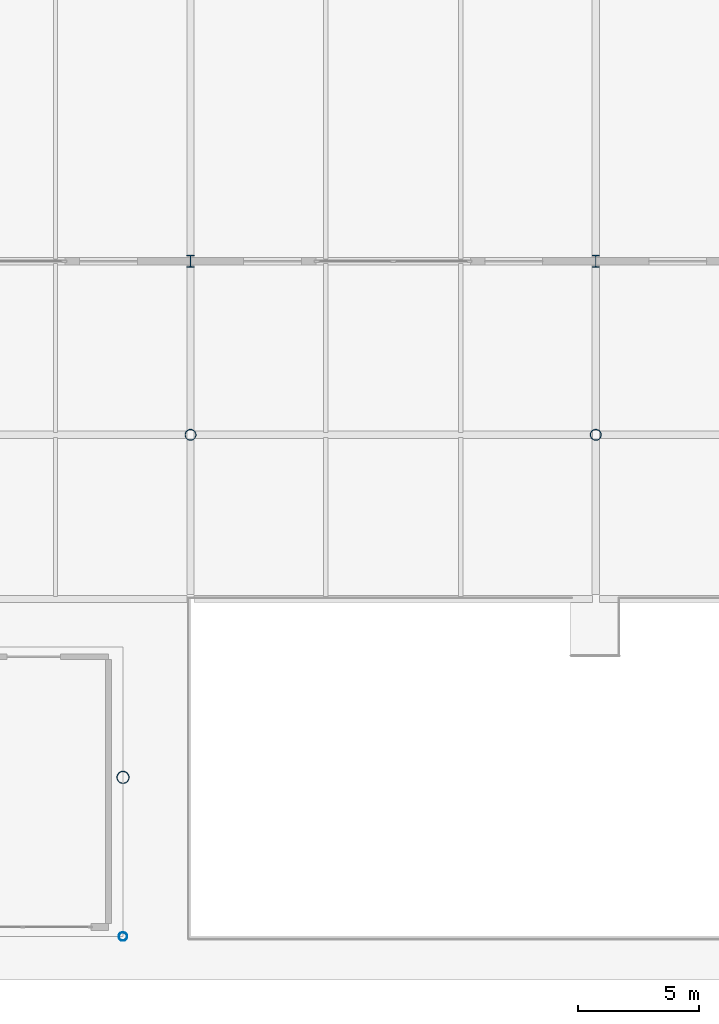
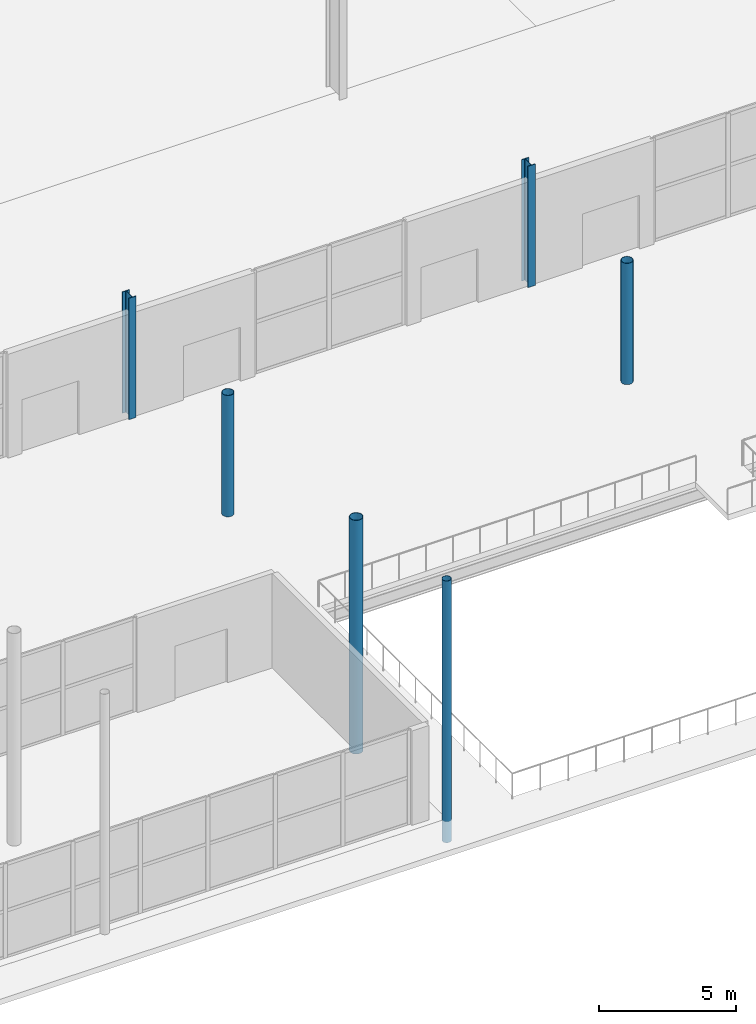
# One storey, part 5 of 87: 6 columns.
"""IFC4 building model written with IfcOpenShell, lengths in metres."""

import ifcopenshell
import ifcopenshell.guid

model = None  # the IFC model being written
_history = None  # IfcOwnerHistory: only IFC2X3 demands one
_inside = {}  # id of a spatial element -> (the spatial element, [elements in it])
_under = {}  # id of a project, library or spatial element -> (it, [spatial elements below it])
_declared = {}  # id of a project -> (the project, [libraries it declares])
_typed = {}  # id of a type object -> (the type object, [elements of that type])
_made_of = {}  # id of a material, layer set ... -> (it, [elements and type objects made of it])


def new_model(schema):
    """Start an empty IFC model of exactly this schema.

    Asked for "IFC4X3", IfcOpenShell would pick the latest addendum, in which some entities
    have other attributes; the version numbers below select the first issue.
    IFC2X3 requires an IfcOwnerHistory on every rooted entity: one is made here for all.
    """
    global model, _history
    if schema == "IFC4X3":
        model = ifcopenshell.file(schema_version=(4, 3, 0, 0))
    else:
        model = ifcopenshell.file(schema=schema)
    _inside.clear()
    _under.clear()
    _declared.clear()
    _typed.clear()
    _made_of.clear()
    _history = None
    if model.schema == "IFC2X3":
        org = make("IfcOrganization", Name="unknown")
        user = make(
            "IfcPersonAndOrganization",
            ThePerson=make("IfcPerson", FamilyName="unknown"),
            TheOrganization=org,
        )
        app = make(
            "IfcApplication",
            ApplicationDeveloper=org,
            Version="unknown",
            ApplicationFullName="unknown",
            ApplicationIdentifier="unknown",
        )
        _history = make(
            "IfcOwnerHistory",
            OwningUser=user,
            OwningApplication=app,
            ChangeAction="ADDED",
            CreationDate=0,
        )
    return model


def make(cls, **values):
    """One entity of the class cls with the attributes given. An attribute that is None is left unset."""
    return model.create_entity(
        cls, **{name: value for name, value in values.items() if value is not None}
    )


def rooted(cls, **values):
    """An entity with a GlobalId (a new one), such as an element, a storey or a relation."""
    return make(cls, GlobalId=ifcopenshell.guid.new(), OwnerHistory=_history, **values)


def si_unit(unit_type, name, prefix=None):
    """IfcSIUnit, for example si_unit("LENGTHUNIT", "METRE", prefix="MILLI")."""
    return make("IfcSIUnit", UnitType=unit_type, Prefix=prefix, Name=name)


def assignment(units):
    """IfcUnitAssignment: the units of a project."""
    return None if units is None else make("IfcUnitAssignment", Units=units)


def point(xyz):
    """IfcCartesianPoint."""
    return None if xyz is None else make("IfcCartesianPoint", Coordinates=xyz)


def direction(xyz):
    """IfcDirection."""
    return None if xyz is None else make("IfcDirection", DirectionRatios=xyz)


def frame(location, z_axis=None, x_axis=None):
    """IfcAxis2Placement3D, a coordinate frame: its origin and axes. An axis left out is left unset."""
    return make(
        "IfcAxis2Placement3D",
        Location=point(location),
        Axis=direction(z_axis),
        RefDirection=direction(x_axis),
    )


def frame_2d(location, x_axis=None):
    """IfcAxis2Placement2D, a coordinate frame in the plane: its origin and x axis."""
    return make(
        "IfcAxis2Placement2D", Location=point(location), RefDirection=direction(x_axis)
    )


def origin():
    """The frame at (0, 0, 0) with its axes left unset."""
    return frame((0.0, 0.0, 0.0))


def origin_2d():
    """The frame at (0, 0) in the plane with its x axis left unset."""
    return frame_2d((0.0, 0.0))


def place(relative_to, where):
    """IfcLocalPlacement: puts the frame where relative to a parent placement (None: the world)."""
    return make(
        "IfcLocalPlacement", PlacementRelTo=relative_to, RelativePlacement=where
    )


def context(
    kind, dimensions, precision=None, world=None, true_north=None, identifier=None
):
    """IfcGeometricRepresentationContext, for example the 3D "Model" context."""
    return make(
        "IfcGeometricRepresentationContext",
        ContextIdentifier=identifier,
        ContextType=kind,
        CoordinateSpaceDimension=dimensions,
        Precision=precision,
        WorldCoordinateSystem=world,
        TrueNorth=true_north,
    )


def subcontext(parent, identifier, kind, view, scale=None):
    """IfcGeometricRepresentationSubContext, for example "Body" below "Model"."""
    return make(
        "IfcGeometricRepresentationSubContext",
        ContextIdentifier=identifier,
        ContextType=kind,
        ParentContext=parent,
        TargetScale=scale,
        TargetView=view,
    )


def project(units=None, contexts=None):
    """IfcProject with its units and contexts."""
    return rooted(
        "IfcProject",
        Name="project",
        RepresentationContexts=contexts,
        UnitsInContext=assignment(units),
    )


def spatial(cls, under=None, at=None, **own):
    """A site, building, storey or space (cls), placed at a placement, below another one or the project."""
    s = rooted(cls, ObjectPlacement=at, **own)
    if under is not None:
        _under.setdefault(under.id(), (under, []))[1].append(s)
    return s


def profile(cls, at=None, kind="AREA", **sizes):
    """A parametric profile (cls). Its sizes go by their IFC names, for example OverallWidth=200.0."""
    return make(cls, ProfileType=kind, Position=at, **sizes)


def hollow_circle(**sizes):
    """IfcCircleHollowProfileDef."""
    return profile("IfcCircleHollowProfileDef", **sizes)


def i_section(**sizes):
    """IfcIShapeProfileDef."""
    return profile("IfcIShapeProfileDef", **sizes)


def extrude(swept, where, along, depth):
    """IfcExtrudedAreaSolid: the profile swept, set in the frame where, extruded along a direction by depth."""
    return make(
        "IfcExtrudedAreaSolid",
        SweptArea=swept,
        Position=where,
        ExtrudedDirection=direction(along),
        Depth=depth,
    )


def shape(context_of_items, identifier, shape_type, items):
    """IfcShapeRepresentation: the items that make up one representation, for example the "Body"."""
    return make(
        "IfcShapeRepresentation",
        ContextOfItems=context_of_items,
        RepresentationIdentifier=identifier,
        RepresentationType=shape_type,
        Items=items,
    )


def material(Name=None, Category=None):
    """IfcMaterial."""
    return make("IfcMaterial", Name=Name, Category=Category)


def material_profile(
    of_material, cross_section, Name=None, Category=None, Priority=None
):
    """IfcMaterialProfile: a cross section and its material."""
    return make(
        "IfcMaterialProfile",
        Name=Name,
        Material=of_material,
        Profile=cross_section,
        Priority=Priority,
        Category=Category,
    )


def profile_set(profiles, Name=None, composite=None):
    """IfcMaterialProfileSet."""
    return make(
        "IfcMaterialProfileSet",
        Name=Name,
        MaterialProfiles=profiles,
        CompositeProfile=composite,
    )


def made_of(thing, what):
    """Note that an element or type object is made of a material, layer set ...; save() writes the relation."""
    if what is not None:
        _made_of.setdefault(what.id(), (what, []))[1].append(thing)
    return thing


def type_object(cls, material=None, **own):
    """A type object (cls), such as IfcWallType, which elements share."""
    return made_of(rooted(cls, **own), material)


def element(
    cls,
    number,
    at=None,
    inside=None,
    cuts=None,
    type_object=None,
    material=None,
    context=None,
    identifier="Body",
    shape_type=None,
    held_by="IfcProductDefinitionShape",
    body=None,
    shapes=None,
    **own,
):
    """One element of the class cls, such as IfcWall. Its Tag is "e" and its number.

    at: its placement. inside: the storey or other place that contains it. cuts: it is an
    opening in that element (IfcRelVoidsElement). A single representation is given by context,
    identifier, shape_type and body (its items); several are given by shapes. held_by: the class
    of the entity that holds the representations. save() writes the other relations.
    """
    e = rooted(cls, Tag="e%d" % number, ObjectPlacement=at, **own)
    if body is not None:
        shapes = [shape(context, identifier, shape_type, body)]
    if shapes is not None:
        e.Representation = make(held_by, Representations=shapes)
    if inside is not None:
        _inside.setdefault(inside.id(), (inside, []))[1].append(e)
    if cuts is not None:
        rooted(
            "IfcRelVoidsElement", RelatingBuildingElement=cuts, RelatedOpeningElement=e
        )
    if type_object is not None:
        _typed.setdefault(type_object.id(), (type_object, []))[1].append(e)
    return made_of(e, material)


def aggregate(whole, parts):
    """IfcRelAggregates: a whole, such as a stair, and the parts it consists of."""
    return rooted("IfcRelAggregates", RelatingObject=whole, RelatedObjects=parts)


def save(model, path):
    """Write the relations noted so far, then the file.

    IfcRelAggregates (storeys below a building ...), IfcRelContainedInSpatialStructure (elements
    in a storey), IfcRelDefinesByType, IfcRelAssociatesMaterial and IfcRelDeclares: one each for
    every whole, place, type object, material and project.
    """
    for whole, parts in _under.values():
        aggregate(whole, parts)
    for where, things in _inside.values():
        rooted(
            "IfcRelContainedInSpatialStructure",
            RelatedElements=things,
            RelatingStructure=where,
        )
    for kind, things in _typed.values():
        rooted("IfcRelDefinesByType", RelatedObjects=things, RelatingType=kind)
    for what, things in _made_of.values():
        rooted("IfcRelAssociatesMaterial", RelatedObjects=things, RelatingMaterial=what)
    for by, libraries in _declared.values():
        rooted("IfcRelDeclares", RelatingContext=by, RelatedDefinitions=libraries)
    model.write(path)


model = new_model("IFC4")

# Units and contexts
model_context = context("Model", 3, precision=1e-05, world=origin(), true_north=direction((0.0, 1.0)))
body_context = subcontext(model_context, "Body", "Model", "MODEL_VIEW")
ifc_project = project(units=[si_unit("LENGTHUNIT", "METRE"), si_unit("AREAUNIT", "SQUARE_METRE"), si_unit("VOLUMEUNIT", "CUBIC_METRE"), si_unit("PLANEANGLEUNIT", "RADIAN"), si_unit("MASSUNIT", "GRAM", prefix="KILO")], contexts=[model_context])

# Site, building, storey
site_placement = place(None, origin())
site = spatial("IfcSite", under=ifc_project, at=site_placement, CompositionType="ELEMENT")
building_placement = place(site_placement, origin())
building = spatial("IfcBuilding", under=site, at=building_placement, Name="Kimbaza Rail Terminus", CompositionType="ELEMENT")
storey_placement = place(building_placement, origin())
storey = spatial("IfcBuildingStorey", under=building, at=storey_placement, Name="L00", CompositionType="ELEMENT", Elevation=0.0)

# Columns
ifc_material_1 = material(Name="White painted steel S355", Category="steel")
ifc_material_profile_1 = material_profile(ifc_material_1, hollow_circle(Radius=0.177734375, WallThickness=0.012451171875, at=origin_2d()), Name="CHS 355.6x12.5")
ifc_profile_set_1 = profile_set([ifc_material_profile_1], Name="White painted steel S355")
column_type_1 = type_object("IfcColumnType", Name="STR-COL-CHS355", PredefinedType="PILASTER", material=ifc_profile_set_1)
column_1_placement = place(storey_placement, frame((86.0, 13.0, -0.949951171875), z_axis=(0.0, 0.0, 1.0), x_axis=(1.0, 0.0, 0.0)))
element("IfcColumn", 1, at=column_1_placement, inside=storey, type_object=column_type_1, Name="Forecourt Canopy Column (5,0)", PredefinedType="PILASTER", context=body_context, shape_type="SweptSolid", body=[
    extrude(hollow_circle(Radius=0.177734375, WallThickness=0.012451171875, at=origin_2d()), origin(), (0.0, 0.0, 1.0), 11.64990234375),
])
ifc_material_2 = material(Name="White painted steel S355", Category="steel")
ifc_material_profile_2 = material_profile(ifc_material_2, hollow_circle(Radius=0.228515625, WallThickness=0.01611328125, at=origin_2d()), Name="CHS 457x16")
ifc_profile_set_2 = profile_set([ifc_material_profile_2], Name="White painted steel S355")
column_type_2 = type_object("IfcColumnType", Name="STR-COL-CHS457", PredefinedType="COLUMN", material=ifc_profile_set_2)
for number, where, z_axis, x_axis, name in (
    (2, (88.800048828125, 33.800048828125, 0.0), (0.0, 0.0, 1.0), (1.0, 0.0, 0.0), "Colonnade Column L00 #3"),
    (3, (105.60009765625, 33.800048828125, 0.0), (0.0, 0.0, 1.0), (1.0, 0.0, 0.0), "Colonnade Column L00 #4"),
):
    element("IfcColumn", number, at=place(storey_placement, frame(where, z_axis=z_axis, x_axis=x_axis)), inside=storey, type_object=column_type_2, Name=name, PredefinedType="COLUMN", context=body_context, shape_type="SweptSolid", body=[
        extrude(hollow_circle(Radius=0.228515625, WallThickness=0.01611328125, at=origin_2d()), origin(), (0.0, 0.0, 1.0), 5.39990234375),
    ])
ifc_material_3 = material(Name="White painted steel S355", Category="steel")
ifc_material_profile_3 = material_profile(ifc_material_3, hollow_circle(Radius=0.25390625, WallThickness=0.01611328125, at=origin_2d()), Name="CHS 508x16")
ifc_profile_set_3 = profile_set([ifc_material_profile_3], Name="White painted steel S355")
column_type_3 = type_object("IfcColumnType", Name="STR-COL-CHS508", PredefinedType="COLUMN", material=ifc_profile_set_3)
column_2_placement = place(storey_placement, frame((86.0, 19.60009765625, -0.949951171875), z_axis=(0.0, 0.0, 1.0), x_axis=(1.0, 0.0, 0.0)))
element("IfcColumn", 4, at=column_2_placement, inside=storey, type_object=column_type_3, Name="Forecourt Canopy Column (5,1)", PredefinedType="COLUMN", context=body_context, shape_type="SweptSolid", body=[
    extrude(hollow_circle(Radius=0.25390625, WallThickness=0.01611328125, at=origin_2d()), origin(), (0.0, 0.0, 1.0), 10.39990234375),
])
ifc_material_4 = material(Name="Steel S355", Category="steel")
ifc_material_profile_4 = material_profile(ifc_material_4, i_section(OverallWidth=0.300048828125, OverallDepth=0.5, WebThickness=0.014404296875, FlangeThickness=0.028076171875, FilletRadius=0.027099609375, at=origin_2d()), Name="HEB 500")
ifc_profile_set_4 = profile_set([ifc_material_profile_4], Name="Steel S355")
column_type_4 = type_object("IfcColumnType", Name="STR-COL-HEB500", PredefinedType="COLUMN", material=ifc_profile_set_4)
for number, where, z_axis, x_axis, name in (
    (5, (88.800048828125, 41.0, 0.0), (0.0, 0.0, 1.0), (1.0, 0.0, 0.0), "South Hall Column L00"),
    (6, (105.60009765625, 41.0, 0.0), (0.0, 0.0, 1.0), (1.0, 0.0, 0.0), "South Hall Column L00"),
):
    element("IfcColumn", number, at=place(storey_placement, frame(where, z_axis=z_axis, x_axis=x_axis)), inside=storey, type_object=column_type_4, Name=name, PredefinedType="COLUMN", context=body_context, shape_type="SweptSolid", body=[
        extrude(i_section(OverallWidth=0.300048828125, OverallDepth=0.5, WebThickness=0.014404296875, FlangeThickness=0.028076171875, FilletRadius=0.027099609375, at=origin_2d()), origin(), (0.0, 0.0, 1.0), 5.39990234375),
    ])

save(model, "model.ifc")
